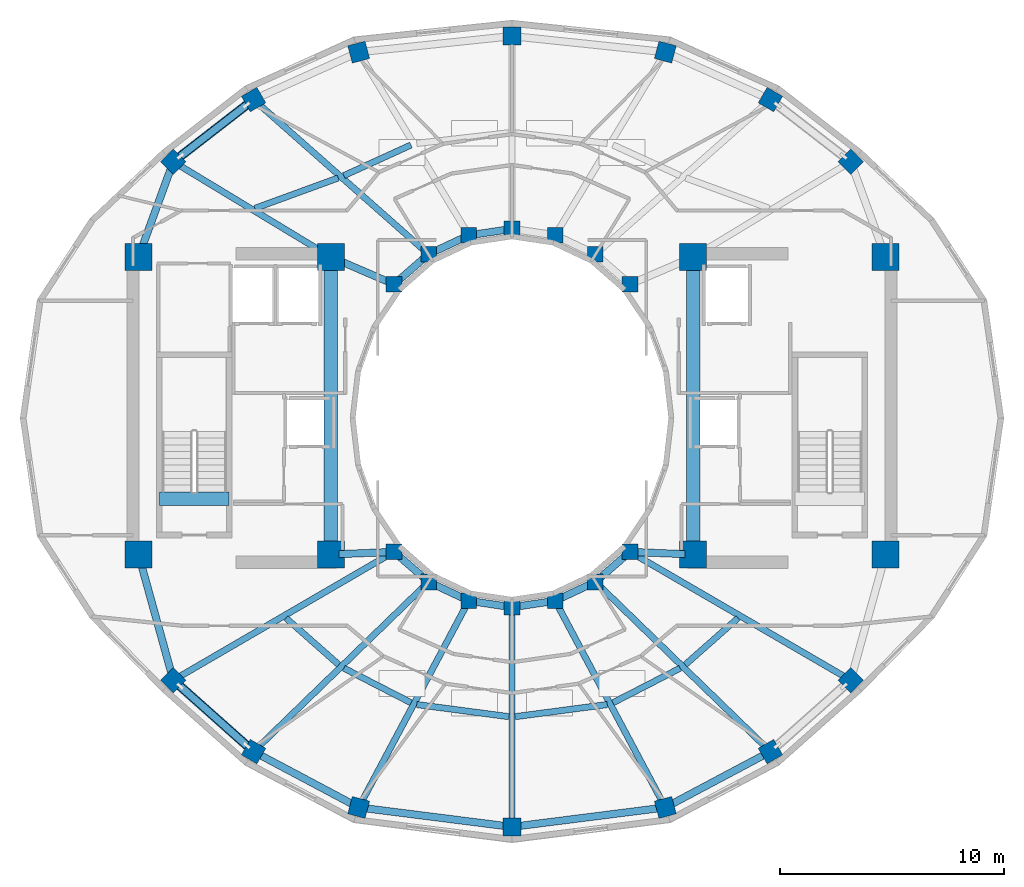
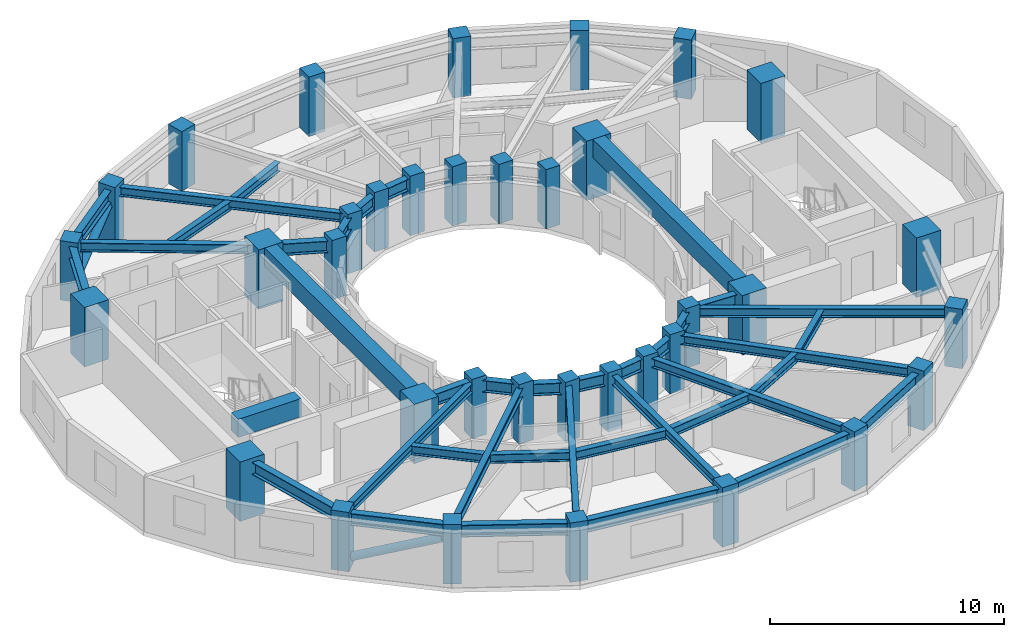
# One storey, part 1 of 9: 40 beams, 36 columns, 2 members.
"""IFC4 building model written with IfcOpenShell, lengths in metres."""

from ifc_helpers import new_model, si_unit, direction, frame, origin, origin_2d, place, context, subcontext, project, spatial, rectangle, hollow_circle, i_section, extrude, material, material_profile, profile_set, type_object, element, save


model = new_model("IFC4")

# Units and contexts
model_context = context("Model", 3, precision=1e-05, world=origin(), true_north=direction((0.0, 1.0)))
body_context = subcontext(model_context, "Body", "Model", "MODEL_VIEW")
ifc_project = project(units=[si_unit("LENGTHUNIT", "METRE"), si_unit("AREAUNIT", "SQUARE_METRE"), si_unit("VOLUMEUNIT", "CUBIC_METRE"), si_unit("PLANEANGLEUNIT", "RADIAN"), si_unit("MASSUNIT", "GRAM", prefix="KILO")], contexts=[model_context])

# Site, building, storey
site_placement = place(None, origin())
site = spatial("IfcSite", under=ifc_project, at=site_placement, CompositionType="ELEMENT")
building_placement = place(site_placement, origin())
building = spatial("IfcBuilding", under=site, at=building_placement, Name="Solvane Sanctuary Tower", CompositionType="ELEMENT")
storey_placement = place(building_placement, frame((0.0, 0.0, 229.5)))
storey = spatial("IfcBuildingStorey", under=building, at=storey_placement, Name="L70", CompositionType="ELEMENT", Elevation=229.5)

# Columns
ifc_material_1 = material(Name="Concrete C50/60", Category="concrete")
ifc_material_profile_1 = material_profile(ifc_material_1, rectangle(XDim=0.699951171875, YDim=0.699951171875, at=origin_2d()), Name="RC700X700")
ifc_profile_set_1 = profile_set([ifc_material_profile_1], Name="Concrete C50/60")
column_type_1 = type_object("IfcColumnType", Name="Column C-RING-Z4 RC700X700", PredefinedType="COLUMN", material=ifc_profile_set_1)
for number, where, z_axis, x_axis, name in (
    (1, (37.27490234375, 28.982177734375, 0.0), (0.0, 0.0, 1.0), (1.0, 0.0, 0.0), "L70 Inner Light-Well Ring Column IC01"),
    (2, (35.72998046875, 30.32666015625, 0.0), (0.0, 0.0, 1.0), (1.0, 0.0, 0.0), "L70 Inner Light-Well Ring Column IC02"),
    (3, (33.930908203125, 31.171630859375, 0.0), (0.0, 0.0, 1.0), (1.0, 0.0, 0.0), "L70 Inner Light-Well Ring Column IC03"),
    (4, (32.0, 31.4599609375, 0.0), (0.0, 0.0, 1.0), (1.0, 0.0, 0.0), "L70 Inner Light-Well Ring Column IC04"),
    (5, (30.069091796875, 31.171630859375, 0.0), (0.0, 0.0, 1.0), (1.0, 0.0, 0.0), "L70 Inner Light-Well Ring Column IC05"),
    (6, (28.27001953125, 30.32666015625, 0.0), (0.0, 0.0, 1.0), (1.0, 0.0, 0.0), "L70 Inner Light-Well Ring Column IC06"),
    (7, (26.72509765625, 28.982177734375, 0.0), (0.0, 0.0, 1.0), (1.0, 0.0, 0.0), "L70 Inner Light-Well Ring Column IC07"),
    (8, (26.72509765625, 17.017822265625, 0.0), (0.0, 0.0, 1.0), (1.0, 0.0, 0.0), "L70 Inner Light-Well Ring Column IC08"),
    (9, (28.27001953125, 15.67333984375, 0.0), (0.0, 0.0, 1.0), (1.0, 0.0, 0.0), "L70 Inner Light-Well Ring Column IC09"),
    (10, (30.069091796875, 14.828369140625, 0.0), (0.0, 0.0, 1.0), (1.0, 0.0, 0.0), "L70 Inner Light-Well Ring Column IC10"),
    (11, (32.0, 14.5400390625, 0.0), (0.0, 0.0, 1.0), (1.0, 0.0, 0.0), "L70 Inner Light-Well Ring Column IC11"),
    (12, (33.930908203125, 14.828369140625, 0.0), (0.0, 0.0, 1.0), (1.0, 0.0, 0.0), "L70 Inner Light-Well Ring Column IC12"),
    (13, (35.72998046875, 15.67333984375, 0.0), (0.0, 0.0, 1.0), (1.0, 0.0, 0.0), "L70 Inner Light-Well Ring Column IC13"),
    (14, (37.27490234375, 17.017822265625, 0.0), (0.0, 0.0, 1.0), (1.0, 0.0, 0.0), "L70 Inner Light-Well Ring Column IC14"),
):
    element("IfcColumn", number, at=place(storey_placement, frame(where, z_axis=z_axis, x_axis=x_axis)), inside=storey, type_object=column_type_1, Name=name, PredefinedType="COLUMN", context=body_context, shape_type="SweptSolid", body=[
        extrude(rectangle(XDim=0.699951171875, YDim=0.699951171875, at=origin_2d()), origin(), (0.0, 0.0, 1.0), 3.10009765625),
    ])
ifc_material_2 = material(Name="Concrete C70/85", Category="concrete")
ifc_material_profile_2 = material_profile(ifc_material_2, rectangle(XDim=1.199951171875, YDim=1.199951171875, at=origin_2d()), Name="RC1200X1200")
ifc_profile_set_2 = profile_set([ifc_material_profile_2], Name="Concrete C70/85")
column_type_2 = type_object("IfcColumnType", Name="Column C-TUBE-Z1 RC1200X1200", PredefinedType="COLUMN", material=ifc_profile_set_2)
for number, where, z_axis, x_axis, name in (
    (15, (15.300048828125, 16.89990234375, 0.0), (0.0, 0.0, 1.0), (1.0, 0.0, 0.0), "L70 Core Corner Column CW1"),
    (16, (23.89990234375, 16.89990234375, 0.0), (0.0, 0.0, 1.0), (1.0, 0.0, 0.0), "L70 Core Corner Column CW2"),
    (17, (23.89990234375, 30.199951171875, 0.0), (0.0, 0.0, 1.0), (1.0, 0.0, 0.0), "L70 Core Corner Column CW3"),
    (18, (15.300048828125, 30.199951171875, 0.0), (0.0, 0.0, 1.0), (1.0, 0.0, 0.0), "L70 Core Corner Column CW4"),
    (19, (40.10009765625, 16.89990234375, 0.0), (0.0, 0.0, 1.0), (1.0, 0.0, 0.0), "L70 Core Corner Column CE1"),
    (20, (48.699951171875, 16.89990234375, 0.0), (0.0, 0.0, 1.0), (1.0, 0.0, 0.0), "L70 Core Corner Column CE2"),
    (21, (48.699951171875, 30.199951171875, 0.0), (0.0, 0.0, 1.0), (1.0, 0.0, 0.0), "L70 Core Corner Column CE3"),
    (22, (40.10009765625, 30.199951171875, 0.0), (0.0, 0.0, 1.0), (1.0, 0.0, 0.0), "L70 Core Corner Column CE4"),
):
    element("IfcColumn", number, at=place(storey_placement, frame(where, z_axis=z_axis, x_axis=x_axis)), inside=storey, type_object=column_type_2, Name=name, PredefinedType="COLUMN", context=body_context, shape_type="SweptSolid", body=[
        extrude(rectangle(XDim=1.199951171875, YDim=1.199951171875, at=origin_2d()), origin(), (0.0, 0.0, 1.0), 3.10009765625),
    ])
ifc_material_profile_3 = material_profile(ifc_material_1, rectangle(XDim=0.800048828125, YDim=0.800048828125, at=origin_2d()), Name="RC800X800")
ifc_profile_set_3 = profile_set([ifc_material_profile_3], Name="Concrete C50/60")
column_type_3 = type_object("IfcColumnType", Name="Column C-TUBE-Z4 RC800X800", PredefinedType="COLUMN", material=ifc_profile_set_3)
for number, where, z_axis, x_axis, name in (
    (23, (47.14501953125, 34.461669921875, 0.0), (0.0, 0.0, 1.0), (0.707106781187, 0.707106781187, 0.0), "L70 Perimeter Tube Column TC01"),
    (24, (43.55517578125, 37.241455078125, 0.0), (0.0, 0.0, 1.0), (0.5, 0.866025403784, 0.0), "L70 Perimeter Tube Column TC02"),
    (25, (38.856201171875, 39.3623046875, 0.0), (0.0, 0.0, 1.0), (0.258819045103, 0.965925826289, 0.0), "L70 Perimeter Tube Column TC03"),
    (26, (32.0, 40.080078125, 0.0), (0.0, 0.0, 1.0), (0.0, 1.0, 0.0), "L70 Perimeter Tube Column TC04"),
    (27, (25.143798828125, 39.3623046875, 0.0), (0.0, 0.0, 1.0), (-0.258819045103, 0.965925826289, 0.0), "L70 Perimeter Tube Column TC05"),
    (28, (20.44482421875, 37.241455078125, 0.0), (0.0, 0.0, 1.0), (-0.5, 0.866025403784, 0.0), "L70 Perimeter Tube Column TC06"),
    (29, (16.85498046875, 34.461669921875, 0.0), (0.0, 0.0, 1.0), (-0.707106781187, 0.707106781187, 0.0), "L70 Perimeter Tube Column TC07"),
    (30, (16.85498046875, 11.279052734375, 0.0), (0.0, 0.0, 1.0), (-0.707106781187, -0.707106781187, 0.0), "L70 Perimeter Tube Column TC08"),
    (31, (20.44482421875, 8.086181640625, 0.0), (0.0, 0.0, 1.0), (-0.5, -0.866025403784, 0.0), "L70 Perimeter Tube Column TC09"),
    (32, (25.143798828125, 5.588623046875, 0.0), (0.0, 0.0, 1.0), (-0.258819045103, -0.965925826289, 0.0), "L70 Perimeter Tube Column TC10"),
    (33, (32.0, 4.719970703125, 0.0), (0.0, 0.0, 1.0), (0.0, -1.0, 0.0), "L70 Perimeter Tube Column TC11"),
    (34, (38.856201171875, 5.588623046875, 0.0), (0.0, 0.0, 1.0), (0.258819045103, -0.965925826289, 0.0), "L70 Perimeter Tube Column TC12"),
    (35, (43.55517578125, 8.086181640625, 0.0), (0.0, 0.0, 1.0), (0.5, -0.866025403784, 0.0), "L70 Perimeter Tube Column TC13"),
    (36, (47.14501953125, 11.279052734375, 0.0), (0.0, 0.0, 1.0), (0.707106781187, -0.707106781187, 0.0), "L70 Perimeter Tube Column TC14"),
):
    element("IfcColumn", number, at=place(storey_placement, frame(where, z_axis=z_axis, x_axis=x_axis)), inside=storey, type_object=column_type_3, Name=name, PredefinedType="COLUMN", context=body_context, shape_type="SweptSolid", body=[
        extrude(rectangle(XDim=0.800048828125, YDim=0.800048828125, at=origin_2d()), origin(), (0.0, 0.0, 1.0), 3.10009765625),
    ])

# Beams
ifc_material_profile_4 = material_profile(ifc_material_2, rectangle(XDim=0.60009765625, YDim=0.949951171875, at=origin_2d()), Name="RC600X950")
ifc_profile_set_4 = profile_set([ifc_material_profile_4], Name="Concrete C70/85")
beam_type_1 = type_object("IfcBeamType", Name="Beam B-COUPLE RC600X950", PredefinedType="LINTEL", material=ifc_profile_set_4)
for number, where, z_axis, x_axis, name in (
    (37, (23.89990234375, 17.35009765625, 2.625), (0.0, 1.0, 0.0), (-1.0, 0.0, 0.0), "L70 West Core Coupling Lintel"),
    (38, (40.10009765625, 17.35009765625, 2.625), (0.0, 1.0, 0.0), (-1.0, 0.0, 0.0), "L70 East Core Coupling Lintel"),
):
    element("IfcBeam", number, at=place(storey_placement, frame(where, z_axis=z_axis, x_axis=x_axis)), inside=storey, type_object=beam_type_1, Name=name, PredefinedType="LINTEL", context=body_context, shape_type="SweptSolid", body=[
        extrude(rectangle(XDim=0.60009765625, YDim=0.949951171875, at=origin_2d()), origin(), (0.0, 0.0, 1.0), 12.39990234375),
    ])
beam_1_placement = place(storey_placement, frame((16.22998046875, 19.399169921875, 2.625), z_axis=(1.0, 0.0, 0.0), x_axis=(0.0, 1.0, 0.0)))
element("IfcBeam", 39, at=beam_1_placement, inside=storey, type_object=beam_type_1, Name="L70 ST-1 Stair Floor Landing Trimmer", PredefinedType="LINTEL", context=body_context, shape_type="SweptSolid", body=[
    extrude(rectangle(XDim=0.60009765625, YDim=0.949951171875, at=origin_2d()), origin(), (0.0, 0.0, 1.0), 3.1201171875),
])
ifc_material_3 = material(Name="Steel ASTM A992 Grade 50", Category="steel")
ifc_material_profile_5 = material_profile(ifc_material_3, i_section(OverallWidth=0.282958984375, OverallDepth=0.471923828125, WebThickness=0.013671875, FlangeThickness=0.022216796875, FilletRadius=0.013916015625, at=origin_2d()), Name="W18X97")
ifc_profile_set_5 = profile_set([ifc_material_profile_5], Name="Steel ASTM A992 Grade 50")
beam_type_2 = type_object("IfcBeamType", Name="Beam B-RAD-Z4 W18X97", PredefinedType="JOIST", material=ifc_profile_set_5)
beam_2_placement = place(storey_placement, frame((28.060302734375, 30.511962890625, 2.64208984375), z_axis=(-0.749352461353, 0.662171343886, 0.0), x_axis=(-0.662171343886, -0.749352461353, 0.0)))
element("IfcBeam", 40, at=beam_2_placement, inside=storey, type_object=beam_type_2, Name="L70 Radial Composite Floor Beam 06", PredefinedType="JOIST", context=body_context, shape_type="SweptSolid", body=[
    extrude(i_section(OverallWidth=0.282958984375, OverallDepth=0.471923828125, WebThickness=0.013671875, FlangeThickness=0.022216796875, FilletRadius=0.013916015625, at=origin_2d()), origin(), (0.0, 0.0, 1.0), 9.882568359375),
])
beam_3_placement = place(storey_placement, frame((23.592041015625, 30.38623046875, 2.64208984375), z_axis=(-0.855612120123, 0.517617522789, 0.0), x_axis=(-0.517617522789, -0.855612120123, 0.0)))
element("IfcBeam", 41, at=beam_3_placement, inside=storey, type_object=beam_type_2, Name="L70 Radial Composite Floor Beam 07", PredefinedType="JOIST", context=body_context, shape_type="SweptSolid", body=[
    extrude(i_section(OverallWidth=0.282958984375, OverallDepth=0.471923828125, WebThickness=0.013671875, FlangeThickness=0.022216796875, FilletRadius=0.013916015625, at=origin_2d()), origin(), (0.0, 0.0, 1.0), 7.59375),
])
beam_4_placement = place(storey_placement, frame((26.48291015625, 16.877197265625, 2.64208984375), z_axis=(-0.864489234729, -0.502651333469, 0.0), x_axis=(0.502651333469, -0.864489234729, 0.0)))
element("IfcBeam", 42, at=beam_4_placement, inside=storey, type_object=beam_type_2, Name="L70 Radial Composite Floor Beam 08", PredefinedType="JOIST", context=body_context, shape_type="SweptSolid", body=[
    extrude(i_section(OverallWidth=0.282958984375, OverallDepth=0.471923828125, WebThickness=0.013671875, FlangeThickness=0.022216796875, FilletRadius=0.013916015625, at=origin_2d()), origin(), (0.0, 0.0, 1.0), 10.85693359375),
])
beam_5_placement = place(storey_placement, frame((28.069091796875, 15.478515625, 2.64208984375), z_axis=(-0.717931503288, -0.69611375262, 0.0), x_axis=(0.69611375262, -0.717931503288, 0.0)))
element("IfcBeam", 43, at=beam_5_placement, inside=storey, type_object=beam_type_2, Name="L70 Radial Composite Floor Beam 09", PredefinedType="JOIST", context=body_context, shape_type="SweptSolid", body=[
    extrude(i_section(OverallWidth=0.282958984375, OverallDepth=0.471923828125, WebThickness=0.013671875, FlangeThickness=0.022216796875, FilletRadius=0.013916015625, at=origin_2d()), origin(), (0.0, 0.0, 1.0), 10.339599609375),
])
beam_6_placement = place(storey_placement, frame((29.9375, 14.581298828125, 2.64208984375), z_axis=(-0.470395154587, -0.882455890422, 0.0), x_axis=(0.882455890422, -0.470395154587, 0.0)))
element("IfcBeam", 44, at=beam_6_placement, inside=storey, type_object=beam_type_2, Name="L70 Radial Composite Floor Beam 10", PredefinedType="JOIST", context=body_context, shape_type="SweptSolid", body=[
    extrude(i_section(OverallWidth=0.282958984375, OverallDepth=0.471923828125, WebThickness=0.013671875, FlangeThickness=0.022216796875, FilletRadius=0.013916015625, at=origin_2d()), origin(), (0.0, 0.0, 1.0), 9.91064453125),
])
beam_7_placement = place(storey_placement, frame((32.0, 14.260009765625, 2.64208984375), z_axis=(0.0, -1.0, 0.0), x_axis=(1.0, 0.0, 0.0)))
element("IfcBeam", 45, at=beam_7_placement, inside=storey, type_object=beam_type_2, Name="L70 Radial Composite Floor Beam 11", PredefinedType="JOIST", context=body_context, shape_type="SweptSolid", body=[
    extrude(i_section(OverallWidth=0.282958984375, OverallDepth=0.471923828125, WebThickness=0.013671875, FlangeThickness=0.022216796875, FilletRadius=0.013916015625, at=origin_2d()), origin(), (0.0, 0.0, 1.0), 9.260009765625),
])
beam_8_placement = place(storey_placement, frame((34.0625, 14.581298828125, 2.64208984375), z_axis=(0.470395154587, -0.882455890422, 0.0), x_axis=(0.882455890422, 0.470395154587, 0.0)))
element("IfcBeam", 46, at=beam_8_placement, inside=storey, type_object=beam_type_2, Name="L70 Radial Composite Floor Beam 12", PredefinedType="JOIST", context=body_context, shape_type="SweptSolid", body=[
    extrude(i_section(OverallWidth=0.282958984375, OverallDepth=0.471923828125, WebThickness=0.013671875, FlangeThickness=0.022216796875, FilletRadius=0.013916015625, at=origin_2d()), origin(), (0.0, 0.0, 1.0), 9.91064453125),
])
beam_9_placement = place(storey_placement, frame((35.930908203125, 15.478515625, 2.64208984375), z_axis=(0.717931503288, -0.69611375262, 0.0), x_axis=(0.69611375262, 0.717931503288, 0.0)))
element("IfcBeam", 47, at=beam_9_placement, inside=storey, type_object=beam_type_2, Name="L70 Radial Composite Floor Beam 13", PredefinedType="JOIST", context=body_context, shape_type="SweptSolid", body=[
    extrude(i_section(OverallWidth=0.282958984375, OverallDepth=0.471923828125, WebThickness=0.013671875, FlangeThickness=0.022216796875, FilletRadius=0.013916015625, at=origin_2d()), origin(), (0.0, 0.0, 1.0), 10.339599609375),
])
beam_10_placement = place(storey_placement, frame((37.51708984375, 16.877197265625, 2.64208984375), z_axis=(0.864489234729, -0.502651333469, 0.0), x_axis=(0.502651333469, 0.864489234729, 0.0)))
element("IfcBeam", 48, at=beam_10_placement, inside=storey, type_object=beam_type_2, Name="L70 Radial Composite Floor Beam 14", PredefinedType="JOIST", context=body_context, shape_type="SweptSolid", body=[
    extrude(i_section(OverallWidth=0.282958984375, OverallDepth=0.471923828125, WebThickness=0.013671875, FlangeThickness=0.022216796875, FilletRadius=0.013916015625, at=origin_2d()), origin(), (0.0, 0.0, 1.0), 10.85693359375),
])
ifc_material_profile_6 = material_profile(ifc_material_3, i_section(OverallWidth=0.324951171875, OverallDepth=0.615966796875, WebThickness=0.013916015625, FlangeThickness=0.021484375, FilletRadius=0.01611328125, at=origin_2d()), Name="W24X117")
ifc_profile_set_6 = profile_set([ifc_material_profile_6], Name="Steel ASTM A992 Grade 50")
beam_type_3 = type_object("IfcBeamType", Name="Beam B-RING-IN2 W24X117", PredefinedType="BEAM", material=ifc_profile_set_6)
beam_11_placement = place(storey_placement, frame((24.230712890625, 30.0576171875, 2.570068359375), z_axis=(0.918283854026, -0.395922673554, 0.0), x_axis=(0.395922673554, 0.918283854026, 0.0)))
element("IfcBeam", 49, at=beam_11_placement, inside=storey, type_object=beam_type_3, Name="L70 Inner Light-Well Ring Beam CW3-IC07", PredefinedType="BEAM", context=body_context, shape_type="SweptSolid", body=[
    extrude(i_section(OverallWidth=0.324951171875, OverallDepth=0.615966796875, WebThickness=0.013916015625, FlangeThickness=0.021484375, FilletRadius=0.01611328125, at=origin_2d()), origin(), (0.0, 0.0, 1.0), 2.396240234375),
])
beam_12_placement = place(storey_placement, frame((26.96630859375, 29.192138671875, 2.570068359375), z_axis=(0.754388985763, 0.656427648839, 0.0), x_axis=(-0.656427648839, 0.754388985763, 0.0)))
element("IfcBeam", 50, at=beam_12_placement, inside=storey, type_object=beam_type_3, Name="L70 Inner Light-Well Ring Beam IC07-IC06", PredefinedType="BEAM", context=body_context, shape_type="SweptSolid", body=[
    extrude(i_section(OverallWidth=0.324951171875, OverallDepth=0.615966796875, WebThickness=0.013916015625, FlangeThickness=0.021484375, FilletRadius=0.01611328125, at=origin_2d()), origin(), (0.0, 0.0, 1.0), 1.408203125),
])
beam_13_placement = place(storey_placement, frame((28.5595703125, 30.462646484375, 2.570068359375), z_axis=(0.905134542189, 0.425125229241, 0.0), x_axis=(-0.425125229241, 0.905134542189, 0.0)))
element("IfcBeam", 51, at=beam_13_placement, inside=storey, type_object=beam_type_3, Name="L70 Inner Light-Well Ring Beam IC06-IC05", PredefinedType="BEAM", context=body_context, shape_type="SweptSolid", body=[
    extrude(i_section(OverallWidth=0.324951171875, OverallDepth=0.615966796875, WebThickness=0.013916015625, FlangeThickness=0.021484375, FilletRadius=0.01611328125, at=origin_2d()), origin(), (0.0, 0.0, 1.0), 1.347900390625),
])
beam_14_placement = place(storey_placement, frame((30.3857421875, 31.218994140625, 2.570068359375), z_axis=(0.989056121481, 0.147539786368, 0.0), x_axis=(-0.147539786368, 0.989056121481, 0.0)))
element("IfcBeam", 52, at=beam_14_placement, inside=storey, type_object=beam_type_3, Name="L70 Inner Light-Well Ring Beam IC05-IC04", PredefinedType="BEAM", context=body_context, shape_type="SweptSolid", body=[
    extrude(i_section(OverallWidth=0.324951171875, OverallDepth=0.615966796875, WebThickness=0.013916015625, FlangeThickness=0.021484375, FilletRadius=0.01611328125, at=origin_2d()), origin(), (0.0, 0.0, 1.0), 1.312255859375),
])
beam_15_placement = place(storey_placement, frame((24.259765625, 16.9150390625, 2.570068359375), z_axis=(0.999129127803, 0.041725124022, 0.0), x_axis=(-0.041725124022, 0.999129127803, 0.0)))
element("IfcBeam", 53, at=beam_15_placement, inside=storey, type_object=beam_type_3, Name="L70 Inner Light-Well Ring Beam CW2-IC08", PredefinedType="BEAM", context=body_context, shape_type="SweptSolid", body=[
    extrude(i_section(OverallWidth=0.324951171875, OverallDepth=0.615966796875, WebThickness=0.013916015625, FlangeThickness=0.021484375, FilletRadius=0.01611328125, at=origin_2d()), origin(), (0.0, 0.0, 1.0), 2.1474609375),
])
beam_16_placement = place(storey_placement, frame((26.96630859375, 16.807861328125, 2.570068359375), z_axis=(0.754388985763, -0.656427648839, 0.0), x_axis=(0.656427648839, 0.754388985763, 0.0)))
element("IfcBeam", 54, at=beam_16_placement, inside=storey, type_object=beam_type_3, Name="L70 Inner Light-Well Ring Beam IC08-IC09", PredefinedType="BEAM", context=body_context, shape_type="SweptSolid", body=[
    extrude(i_section(OverallWidth=0.324951171875, OverallDepth=0.615966796875, WebThickness=0.013916015625, FlangeThickness=0.021484375, FilletRadius=0.01611328125, at=origin_2d()), origin(), (0.0, 0.0, 1.0), 1.408203125),
])
beam_17_placement = place(storey_placement, frame((28.5595703125, 15.537353515625, 2.570068359375), z_axis=(0.905134542189, -0.425125229241, 0.0), x_axis=(0.425125229241, 0.905134542189, 0.0)))
element("IfcBeam", 55, at=beam_17_placement, inside=storey, type_object=beam_type_3, Name="L70 Inner Light-Well Ring Beam IC09-IC10", PredefinedType="BEAM", context=body_context, shape_type="SweptSolid", body=[
    extrude(i_section(OverallWidth=0.324951171875, OverallDepth=0.615966796875, WebThickness=0.013916015625, FlangeThickness=0.021484375, FilletRadius=0.01611328125, at=origin_2d()), origin(), (0.0, 0.0, 1.0), 1.347900390625),
])
for number, where, z_axis, x_axis, name in (
    (56, (30.3857421875, 14.781005859375, 2.570068359375), (0.989056121481, -0.147539786368, 0.0), (0.147539786368, 0.989056121481, 0.0), "L70 Inner Light-Well Ring Beam IC10-IC11"),
    (57, (32.31640625, 14.58740234375, 2.570068359375), (0.989056121481, 0.147539786368, 0.0), (-0.147539786368, 0.989056121481, 0.0), "L70 Inner Light-Well Ring Beam IC11-IC12"),
):
    element("IfcBeam", number, at=place(storey_placement, frame(where, z_axis=z_axis, x_axis=x_axis)), inside=storey, type_object=beam_type_3, Name=name, PredefinedType="BEAM", context=body_context, shape_type="SweptSolid", body=[
        extrude(i_section(OverallWidth=0.324951171875, OverallDepth=0.615966796875, WebThickness=0.013916015625, FlangeThickness=0.021484375, FilletRadius=0.01611328125, at=origin_2d()), origin(), (0.0, 0.0, 1.0), 1.312255859375),
    ])
beam_18_placement = place(storey_placement, frame((34.220458984375, 14.96435546875, 2.570068359375), z_axis=(0.905134542189, 0.425125229241, 0.0), x_axis=(-0.425125229241, 0.905134542189, 0.0)))
element("IfcBeam", 58, at=beam_18_placement, inside=storey, type_object=beam_type_3, Name="L70 Inner Light-Well Ring Beam IC12-IC13", PredefinedType="BEAM", context=body_context, shape_type="SweptSolid", body=[
    extrude(i_section(OverallWidth=0.324951171875, OverallDepth=0.615966796875, WebThickness=0.013916015625, FlangeThickness=0.021484375, FilletRadius=0.01611328125, at=origin_2d()), origin(), (0.0, 0.0, 1.0), 1.347900390625),
])
beam_19_placement = place(storey_placement, frame((35.971435546875, 15.883544921875, 2.570068359375), z_axis=(0.754388985763, 0.656427648839, 0.0), x_axis=(-0.656427648839, 0.754388985763, 0.0)))
element("IfcBeam", 59, at=beam_19_placement, inside=storey, type_object=beam_type_3, Name="L70 Inner Light-Well Ring Beam IC13-IC14", PredefinedType="BEAM", context=body_context, shape_type="SweptSolid", body=[
    extrude(i_section(OverallWidth=0.324951171875, OverallDepth=0.615966796875, WebThickness=0.013916015625, FlangeThickness=0.021484375, FilletRadius=0.01611328125, at=origin_2d()), origin(), (0.0, 0.0, 1.0), 1.408203125),
])
beam_20_placement = place(storey_placement, frame((37.5947265625, 17.004638671875, 2.570068359375), z_axis=(0.999129127803, -0.041725124022, 0.0), x_axis=(0.041725124022, 0.999129127803, 0.0)))
element("IfcBeam", 60, at=beam_20_placement, inside=storey, type_object=beam_type_3, Name="L70 Inner Light-Well Ring Beam IC14-CE1", PredefinedType="BEAM", context=body_context, shape_type="SweptSolid", body=[
    extrude(i_section(OverallWidth=0.324951171875, OverallDepth=0.615966796875, WebThickness=0.013916015625, FlangeThickness=0.021484375, FilletRadius=0.01611328125, at=origin_2d()), origin(), (0.0, 0.0, 1.0), 2.1474609375),
])
ifc_material_profile_7 = material_profile(ifc_material_3, i_section(OverallWidth=0.280029296875, OverallDepth=0.462890625, WebThickness=0.0107421875, FlangeThickness=0.017333984375, FilletRadius=0.013916015625, at=origin_2d()), Name="W18X76")
ifc_profile_set_7 = profile_set([ifc_material_profile_7], Name="Steel ASTM A992 Grade 50")
beam_type_4 = type_object("IfcBeamType", Name="Beam B-SEC-JOIST W18X76", PredefinedType="JOIST", material=ifc_profile_set_7)
beam_21_placement = place(storey_placement, frame((20.505615234375, 32.377685546875, 2.646484375), z_axis=(0.939341257695, 0.342983966962, 0.0), x_axis=(-0.342983966962, 0.939341257695, 0.0)))
element("IfcBeam", 61, at=beam_21_placement, inside=storey, type_object=beam_type_4, Name="L70 Secondary Circumferential Joist 07-06", PredefinedType="JOIST", context=body_context, shape_type="SweptSolid", body=[
    extrude(i_section(OverallWidth=0.280029296875, OverallDepth=0.462890625, WebThickness=0.0107421875, FlangeThickness=0.017333984375, FilletRadius=0.013916015625, at=origin_2d()), origin(), (0.0, 0.0, 1.0), 3.964111328125),
])
beam_22_placement = place(storey_placement, frame((24.481689453125, 33.8408203125, 2.646484375), z_axis=(0.909746959611, 0.415163184156, 0.0), x_axis=(-0.415163184156, 0.909746959611, 0.0)))
element("IfcBeam", 62, at=beam_22_placement, inside=storey, type_object=beam_type_4, Name="L70 Secondary Circumferential Joist 06-05", PredefinedType="JOIST", context=body_context, shape_type="SweptSolid", body=[
    extrude(i_section(OverallWidth=0.280029296875, OverallDepth=0.462890625, WebThickness=0.0107421875, FlangeThickness=0.017333984375, FilletRadius=0.013916015625, at=origin_2d()), origin(), (0.0, 0.0, 1.0), 3.29833984375),
])
beam_23_placement = place(storey_placement, frame((21.892333984375, 14.05810546875, 2.646484375), z_axis=(0.749354102876, -0.662169486236, 0.0), x_axis=(0.662169486236, 0.749354102876, 0.0)))
element("IfcBeam", 63, at=beam_23_placement, inside=storey, type_object=beam_type_4, Name="L70 Secondary Circumferential Joist 08-09", PredefinedType="JOIST", context=body_context, shape_type="SweptSolid", body=[
    extrude(i_section(OverallWidth=0.280029296875, OverallDepth=0.462890625, WebThickness=0.0107421875, FlangeThickness=0.017333984375, FilletRadius=0.013916015625, at=origin_2d()), origin(), (0.0, 0.0, 1.0), 3.153076171875),
])
beam_24_placement = place(storey_placement, frame((24.47900390625, 11.8173828125, 2.646484375), z_axis=(0.88924080122, -0.4574393921, 0.0), x_axis=(0.4574393921, 0.88924080122, 0.0)))
element("IfcBeam", 64, at=beam_24_placement, inside=storey, type_object=beam_type_4, Name="L70 Secondary Circumferential Joist 09-10", PredefinedType="JOIST", context=body_context, shape_type="SweptSolid", body=[
    extrude(i_section(OverallWidth=0.280029296875, OverallDepth=0.462890625, WebThickness=0.0107421875, FlangeThickness=0.017333984375, FilletRadius=0.013916015625, at=origin_2d()), origin(), (0.0, 0.0, 1.0), 3.380615234375),
])
for number, where, z_axis, x_axis, name in (
    (65, (27.74169921875, 10.190673828125, 2.646484375), (0.991439902559, -0.130563852634, 0.0), (0.130563852634, 0.991439902559, 0.0), "L70 Secondary Circumferential Joist 10-11"),
    (66, (32.13525390625, 9.647705078125, 2.646484375), (0.991439902559, 0.130563852634, 0.0), (-0.130563852634, 0.991439902559, 0.0), "L70 Secondary Circumferential Joist 11-12"),
):
    element("IfcBeam", number, at=place(storey_placement, frame(where, z_axis=z_axis, x_axis=x_axis)), inside=storey, type_object=beam_type_4, Name=name, PredefinedType="JOIST", context=body_context, shape_type="SweptSolid", body=[
        extrude(i_section(OverallWidth=0.280029296875, OverallDepth=0.462890625, WebThickness=0.0107421875, FlangeThickness=0.017333984375, FilletRadius=0.013916015625, at=origin_2d()), origin(), (0.0, 0.0, 1.0), 4.15869140625),
    ])
beam_25_placement = place(storey_placement, frame((36.514892578125, 10.27099609375, 2.646484375), z_axis=(0.88924080122, 0.4574393921, 0.0), x_axis=(-0.4574393921, 0.88924080122, 0.0)))
element("IfcBeam", 67, at=beam_25_placement, inside=storey, type_object=beam_type_4, Name="L70 Secondary Circumferential Joist 12-13", PredefinedType="JOIST", context=body_context, shape_type="SweptSolid", body=[
    extrude(i_section(OverallWidth=0.280029296875, OverallDepth=0.462890625, WebThickness=0.0107421875, FlangeThickness=0.017333984375, FilletRadius=0.013916015625, at=origin_2d()), origin(), (0.0, 0.0, 1.0), 3.380615234375),
])
beam_26_placement = place(storey_placement, frame((39.744873046875, 11.97021484375, 2.646484375), z_axis=(0.749354102876, 0.662169486236, 0.0), x_axis=(-0.662169486236, 0.749354102876, 0.0)))
element("IfcBeam", 68, at=beam_26_placement, inside=storey, type_object=beam_type_4, Name="L70 Secondary Circumferential Joist 13-14", PredefinedType="JOIST", context=body_context, shape_type="SweptSolid", body=[
    extrude(i_section(OverallWidth=0.280029296875, OverallDepth=0.462890625, WebThickness=0.0107421875, FlangeThickness=0.017333984375, FilletRadius=0.013916015625, at=origin_2d()), origin(), (0.0, 0.0, 1.0), 3.153076171875),
])
ifc_material_profile_8 = material_profile(ifc_material_3, i_section(OverallWidth=0.327880859375, OverallDepth=0.6279296875, WebThickness=0.0166015625, FlangeThickness=0.027587890625, FilletRadius=0.01611328125, at=origin_2d()), Name="W24X146")
ifc_profile_set_8 = profile_set([ifc_material_profile_8], Name="Steel ASTM A992 Grade 50")
beam_type_5 = type_object("IfcBeamType", Name="Beam B-SPAND-Z3 W24X146", PredefinedType="SPANDREL", material=ifc_profile_set_8)
beam_27_placement = place(storey_placement, frame((15.39599609375, 30.462890625, 2.56396484375), z_axis=(0.34275337431, 0.939425422478, 0.0), x_axis=(-0.939425422478, 0.34275337431, 0.0)))
element("IfcBeam", 69, at=beam_27_placement, inside=storey, type_object=beam_type_5, Name="L70 Perimeter Spandrel Beam CW4-TC07", PredefinedType="SPANDREL", context=body_context, shape_type="SweptSolid", body=[
    extrude(i_section(OverallWidth=0.327880859375, OverallDepth=0.6279296875, WebThickness=0.0166015625, FlangeThickness=0.027587890625, FilletRadius=0.01611328125, at=origin_2d()), origin(), (0.0, 0.0, 1.0), 3.976806640625),
])
beam_28_placement = place(storey_placement, frame((17.076416015625, 34.633056640625, 2.56396484375), z_axis=(0.79064516309, 0.612274632891, 0.0), x_axis=(-0.612274632891, 0.79064516309, 0.0)))
element("IfcBeam", 70, at=beam_28_placement, inside=storey, type_object=beam_type_5, Name="L70 Perimeter Spandrel Beam TC07-TC06", PredefinedType="SPANDREL", context=body_context, shape_type="SweptSolid", body=[
    extrude(i_section(OverallWidth=0.327880859375, OverallDepth=0.6279296875, WebThickness=0.0166015625, FlangeThickness=0.027587890625, FilletRadius=0.01611328125, at=origin_2d()), origin(), (0.0, 0.0, 1.0), 3.980224609375),
])
beam_29_placement = place(storey_placement, frame((15.374755859375, 16.630126953125, 2.56396484375), z_axis=(0.266650123869, -0.963793396658, 0.0), x_axis=(0.963793396658, 0.266650123869, 0.0)))
element("IfcBeam", 71, at=beam_29_placement, inside=storey, type_object=beam_type_5, Name="L70 Perimeter Spandrel Beam CW1-TC08", PredefinedType="SPANDREL", context=body_context, shape_type="SweptSolid", body=[
    extrude(i_section(OverallWidth=0.327880859375, OverallDepth=0.6279296875, WebThickness=0.0166015625, FlangeThickness=0.027587890625, FilletRadius=0.01611328125, at=origin_2d()), origin(), (0.0, 0.0, 1.0), 5.27197265625),
])
beam_30_placement = place(storey_placement, frame((17.064208984375, 11.093017578125, 2.56396484375), z_axis=(0.747199825189, -0.664599444205, 0.0), x_axis=(0.664599444205, 0.747199825189, 0.0)))
element("IfcBeam", 72, at=beam_30_placement, inside=storey, type_object=beam_type_5, Name="L70 Perimeter Spandrel Beam TC08-TC09", PredefinedType="SPANDREL", context=body_context, shape_type="SweptSolid", body=[
    extrude(i_section(OverallWidth=0.327880859375, OverallDepth=0.6279296875, WebThickness=0.0166015625, FlangeThickness=0.027587890625, FilletRadius=0.01611328125, at=origin_2d()), origin(), (0.0, 0.0, 1.0), 4.244384765625),
])
beam_31_placement = place(storey_placement, frame((20.692138671875, 7.954833984375, 2.56396484375), z_axis=(0.883034715026, -0.46930767313, 0.0), x_axis=(0.46930767313, 0.883034715026, 0.0)))
element("IfcBeam", 73, at=beam_31_placement, inside=storey, type_object=beam_type_5, Name="L70 Perimeter Spandrel Beam TC09-TC10", PredefinedType="SPANDREL", context=body_context, shape_type="SweptSolid", body=[
    extrude(i_section(OverallWidth=0.327880859375, OverallDepth=0.6279296875, WebThickness=0.0166015625, FlangeThickness=0.027587890625, FilletRadius=0.01611328125, at=origin_2d()), origin(), (0.0, 0.0, 1.0), 4.761474609375),
])
for number, where, z_axis, x_axis, name in (
    (74, (25.421630859375, 5.553466796875, 2.56396484375), (0.99206770258, -0.125704707538, 0.0), (0.125704707538, 0.99206770258, 0.0), "L70 Perimeter Spandrel Beam TC10-TC11"),
    (75, (32.27783203125, 4.755126953125, 2.56396484375), (0.99206770258, 0.125704707538, 0.0), (-0.125704707538, 0.99206770258, 0.0), "L70 Perimeter Spandrel Beam TC11-TC12"),
):
    element("IfcBeam", number, at=place(storey_placement, frame(where, z_axis=z_axis, x_axis=x_axis)), inside=storey, type_object=beam_type_5, Name=name, PredefinedType="SPANDREL", context=body_context, shape_type="SweptSolid", body=[
        extrude(i_section(OverallWidth=0.327880859375, OverallDepth=0.6279296875, WebThickness=0.0166015625, FlangeThickness=0.027587890625, FilletRadius=0.01611328125, at=origin_2d()), origin(), (0.0, 0.0, 1.0), 6.350830078125),
    ])
beam_32_placement = place(storey_placement, frame((39.103271484375, 5.72021484375, 2.56396484375), z_axis=(0.883034715026, 0.46930767313, 0.0), x_axis=(-0.46930767313, 0.883034715026, 0.0)))
element("IfcBeam", 76, at=beam_32_placement, inside=storey, type_object=beam_type_5, Name="L70 Perimeter Spandrel Beam TC12-TC13", PredefinedType="SPANDREL", context=body_context, shape_type="SweptSolid", body=[
    extrude(i_section(OverallWidth=0.327880859375, OverallDepth=0.6279296875, WebThickness=0.0166015625, FlangeThickness=0.027587890625, FilletRadius=0.01611328125, at=origin_2d()), origin(), (0.0, 0.0, 1.0), 4.761474609375),
])

# Members
ifc_material_profile_9 = material_profile(ifc_material_3, hollow_circle(Radius=0.202880859375, WallThickness=0.012451171875, at=origin_2d()), Name="CHS406X12.5")
ifc_profile_set_9 = profile_set([ifc_material_profile_9], Name="Steel ASTM A992 Grade 50")
member_type = type_object("IfcMemberType", Name="Member M-TUBE-Z3 CHS406X12.5", PredefinedType="BRACE", material=ifc_profile_set_9)
member_1_placement = place(storey_placement, frame((17.18115234375, 34.714111328125, 0.5498046875), z_axis=(0.731090089768, 0.566107162853, 0.380827993731), x_axis=(-0.612242116954, 0.790670342322, 0.0)))
element("IfcMember", 77, at=member_1_placement, inside=storey, type_object=member_type, Name="L70 Perimeter Braced-Tube Diagonal NW", PredefinedType="BRACE", context=body_context, shape_type="SweptSolid", body=[
    extrude(hollow_circle(Radius=0.202880859375, WallThickness=0.012451171875, at=origin_2d()), origin(), (0.0, 0.0, 1.0), 4.017578125),
])
member_2_placement = place(storey_placement, frame((17.16162109375, 11.006591796875, 0.53955078125), z_axis=(0.69629863571, -0.619345335379, 0.362738977025), x_axis=(0.664611503375, 0.747189098945, 0.0)))
element("IfcMember", 78, at=member_2_placement, inside=storey, type_object=member_type, Name="L70 Perimeter Braced-Tube Diagonal SW", PredefinedType="BRACE", context=body_context, shape_type="SweptSolid", body=[
    extrude(hollow_circle(Radius=0.202880859375, WallThickness=0.012451171875, at=origin_2d()), origin(), (0.0, 0.0, 1.0), 4.26708984375),
])

save(model, "model.ifc")
